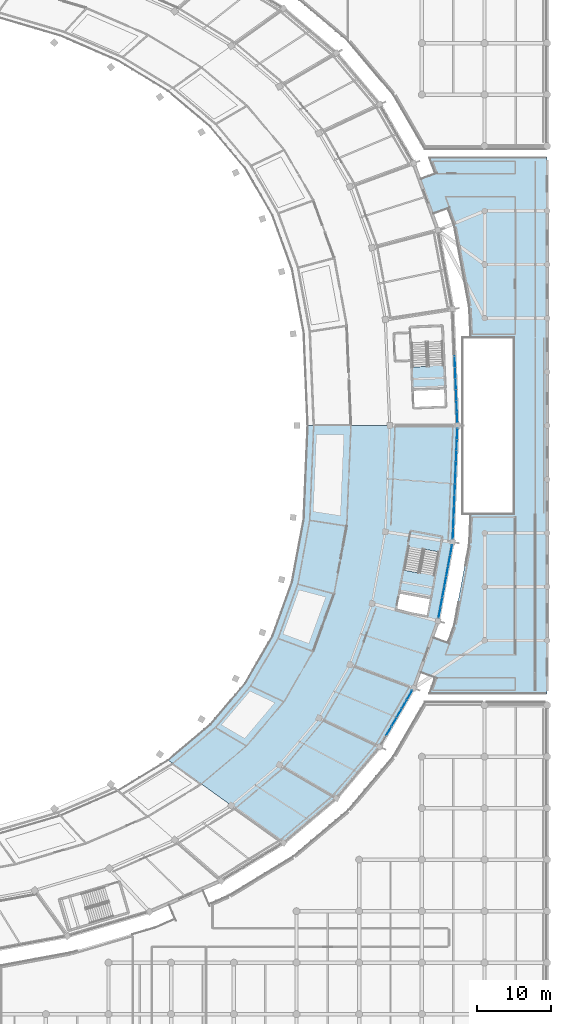
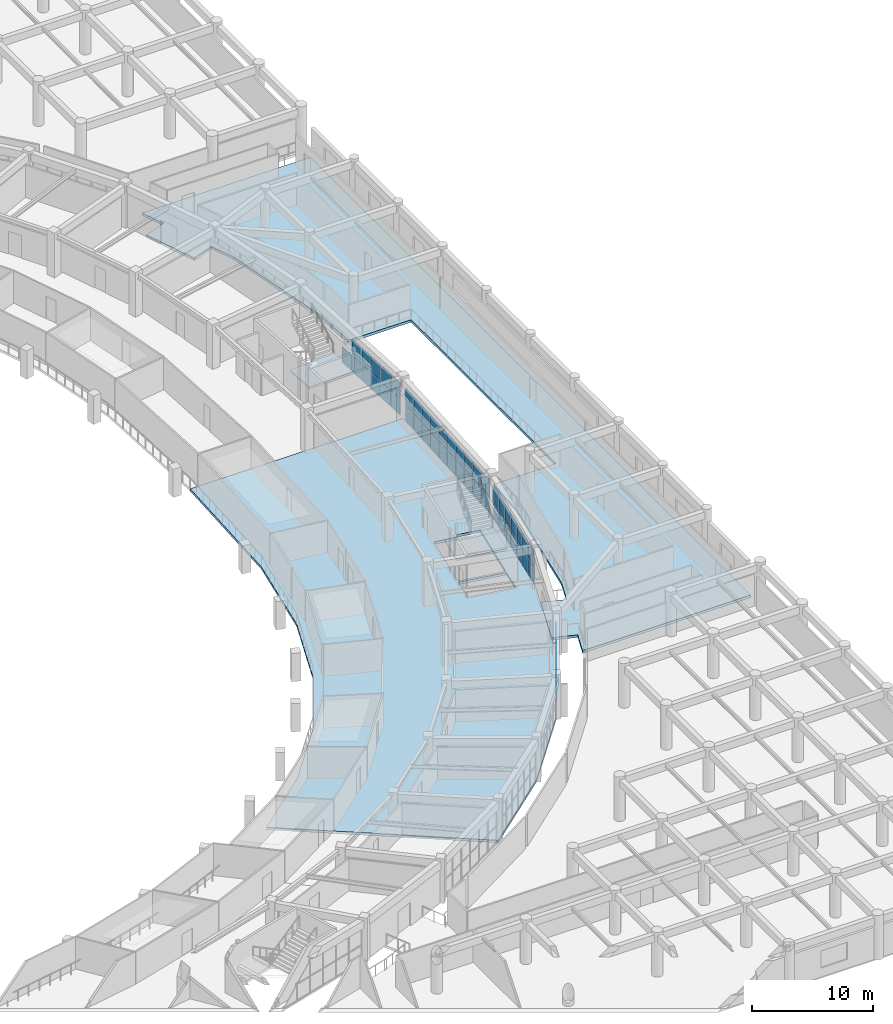
# One storey, part 80 of 141: 54 plates, 4 slabs, 6 elements without a shape of their own.
"""IFC4 building model written with IfcOpenShell, lengths in metres."""

from ifc_helpers import new_model, si_unit, direction, frame, origin, origin_2d, place, context, subcontext, project, spatial, polyline, rectangle, outline, extrude, material, layer, layer_set, type_object, element, aggregate, save


model = new_model("IFC4")

# Units and contexts
model_context = context("Model", 3, precision=1e-05, world=origin(), true_north=direction((0.0, 1.0)))
body_context = subcontext(model_context, "Body", "Model", "MODEL_VIEW")
ifc_project = project(units=[si_unit("LENGTHUNIT", "METRE"), si_unit("AREAUNIT", "SQUARE_METRE"), si_unit("VOLUMEUNIT", "CUBIC_METRE"), si_unit("PLANEANGLEUNIT", "RADIAN"), si_unit("MASSUNIT", "GRAM", prefix="KILO")], contexts=[model_context])

# Site, building, storey
site_placement = place(None, origin())
site = spatial("IfcSite", under=ifc_project, at=site_placement, CompositionType="ELEMENT")
building_placement = place(site_placement, origin())
building = spatial("IfcBuilding", under=site, at=building_placement, Name="Mphavela Belvedere Stadium", CompositionType="ELEMENT")
storey_placement = place(building_placement, frame((0.0, 0.0, 14.699951171875)))
storey = spatial("IfcBuildingStorey", under=building, at=storey_placement, Name="L03", CompositionType="ELEMENT", Elevation=14.699951171875)

# Curtain wall, plates
ifc_material_1 = material(Name="Anodised bronze unitised curtain wall framing")
ifc_layer_1 = layer(ifc_material_1, 0.179931640625)
ifc_layer_set_1 = layer_set([ifc_layer_1], Name="Anodised bronze unitised curtain wall framing")
curtain_wall_type_1 = type_object("IfcCurtainWallType", Name="CW-UNIT-01", PredefinedType="USERDEFINED", material=ifc_layer_set_1)
curtain_wall_1_placement = place(storey_placement, origin())
curtain_wall_1 = element("IfcCurtainWall", 1, at=curtain_wall_1_placement, inside=storey, type_object=curtain_wall_type_1, Name="Belvedere colonnade curtain wall L03-01", ObjectType="UNITISED CURTAIN WALL", PredefinedType="USERDEFINED")
ifc_material_2 = material(Name="Solar-control double glazing", Category="glass")
ifc_layer_2 = layer(ifc_material_2, 0.031982421875)
ifc_layer_set_2 = layer_set([ifc_layer_2], Name="Solar-control double glazing")
plate_type = type_object("IfcPlateType", Name="CWP-SOLAR-GLASS", PredefinedType="CURTAIN_PANEL", material=ifc_layer_set_2)
plate_1_placement = place(storey_placement, frame((217.77197265625, 88.143798828125, 0.06005859375), z_axis=(0.0, 0.0, 1.0), x_axis=(-0.041911272788, 0.999121336582, 0.0)))
plate_1 = element("IfcPlate", 2, at=plate_1_placement, type_object=plate_type, Name="CW-01 panel 1.1", PredefinedType="CURTAIN_PANEL", context=body_context, shape_type="SweptSolid", body=[
    extrude(rectangle(XDim=1.413818359375, YDim=0.031982421875, at=origin_2d()), origin(), (0.0, 0.0, 1.0), 1.6201171875),
])
plate_2_placement = place(storey_placement, frame((217.77197265625, 88.143798828125, 1.739990234375), z_axis=(0.0, 0.0, 1.0), x_axis=(-0.041911272788, 0.999121336582, 0.0)))
plate_2 = element("IfcPlate", 3, at=plate_2_placement, type_object=plate_type, Name="CW-01 panel 1.2", PredefinedType="CURTAIN_PANEL", context=body_context, shape_type="SweptSolid", body=[
    extrude(rectangle(XDim=1.413818359375, YDim=0.031982421875, at=origin_2d()), origin(), (0.0, 0.0, 1.0), 1.6201171875),
])
plate_3_placement = place(storey_placement, frame((217.70947265625, 89.6376953125, 0.06005859375), z_axis=(0.0, 0.0, 1.0), x_axis=(-0.041911272788, 0.999121336582, 0.0)))
plate_3 = element("IfcPlate", 4, at=plate_3_placement, type_object=plate_type, Name="CW-01 panel 2.1", PredefinedType="CURTAIN_PANEL", context=body_context, shape_type="SweptSolid", body=[
    extrude(rectangle(XDim=1.4462890625, YDim=0.031982421875, at=origin_2d()), origin(), (0.0, 0.0, 1.0), 1.6201171875),
])
plate_4_placement = place(storey_placement, frame((217.70947265625, 89.6376953125, 1.739990234375), z_axis=(0.0, 0.0, 1.0), x_axis=(-0.041911272788, 0.999121336582, 0.0)))
plate_4 = element("IfcPlate", 5, at=plate_4_placement, type_object=plate_type, Name="CW-01 panel 2.2", PredefinedType="CURTAIN_PANEL", context=body_context, shape_type="SweptSolid", body=[
    extrude(rectangle(XDim=1.4462890625, YDim=0.031982421875, at=origin_2d()), origin(), (0.0, 0.0, 1.0), 1.6201171875),
])
plate_5_placement = place(storey_placement, frame((217.64599609375, 91.147705078125, 0.06005859375), z_axis=(0.0, 0.0, 1.0), x_axis=(-0.041911272788, 0.999121336582, 0.0)))
plate_5 = element("IfcPlate", 6, at=plate_5_placement, type_object=plate_type, Name="CW-01 panel 3.1", PredefinedType="CURTAIN_PANEL", context=body_context, shape_type="SweptSolid", body=[
    extrude(rectangle(XDim=1.4462890625, YDim=0.031982421875, at=origin_2d()), origin(), (0.0, 0.0, 1.0), 1.6201171875),
])
plate_6_placement = place(storey_placement, frame((217.64599609375, 91.147705078125, 1.739990234375), z_axis=(0.0, 0.0, 1.0), x_axis=(-0.041911272788, 0.999121336582, 0.0)))
plate_6 = element("IfcPlate", 7, at=plate_6_placement, type_object=plate_type, Name="CW-01 panel 3.2", PredefinedType="CURTAIN_PANEL", context=body_context, shape_type="SweptSolid", body=[
    extrude(rectangle(XDim=1.4462890625, YDim=0.031982421875, at=origin_2d()), origin(), (0.0, 0.0, 1.0), 1.6201171875),
])
plate_7_placement = place(storey_placement, frame((217.582763671875, 92.657470703125, 0.06005859375), z_axis=(0.0, 0.0, 1.0), x_axis=(-0.041911272788, 0.999121336582, 0.0)))
plate_7 = element("IfcPlate", 8, at=plate_7_placement, type_object=plate_type, Name="CW-01 panel 4.1", PredefinedType="CURTAIN_PANEL", context=body_context, shape_type="SweptSolid", body=[
    extrude(rectangle(XDim=1.4462890625, YDim=0.031982421875, at=origin_2d()), origin(), (0.0, 0.0, 1.0), 1.6201171875),
])
plate_8_placement = place(storey_placement, frame((217.582763671875, 92.657470703125, 1.739990234375), z_axis=(0.0, 0.0, 1.0), x_axis=(-0.041911272788, 0.999121336582, 0.0)))
plate_8 = element("IfcPlate", 9, at=plate_8_placement, type_object=plate_type, Name="CW-01 panel 4.2", PredefinedType="CURTAIN_PANEL", context=body_context, shape_type="SweptSolid", body=[
    extrude(rectangle(XDim=1.4462890625, YDim=0.031982421875, at=origin_2d()), origin(), (0.0, 0.0, 1.0), 1.6201171875),
])
plate_9_placement = place(storey_placement, frame((217.519287109375, 94.16748046875, 0.06005859375), z_axis=(0.0, 0.0, 1.0), x_axis=(-0.041911272788, 0.999121336582, 0.0)))
plate_9 = element("IfcPlate", 10, at=plate_9_placement, type_object=plate_type, Name="CW-01 panel 5.1", PredefinedType="CURTAIN_PANEL", context=body_context, shape_type="SweptSolid", body=[
    extrude(rectangle(XDim=1.4462890625, YDim=0.031982421875, at=origin_2d()), origin(), (0.0, 0.0, 1.0), 1.6201171875),
])
plate_10_placement = place(storey_placement, frame((217.519287109375, 94.16748046875, 1.739990234375), z_axis=(0.0, 0.0, 1.0), x_axis=(-0.041911272788, 0.999121336582, 0.0)))
plate_10 = element("IfcPlate", 11, at=plate_10_placement, type_object=plate_type, Name="CW-01 panel 5.2", PredefinedType="CURTAIN_PANEL", context=body_context, shape_type="SweptSolid", body=[
    extrude(rectangle(XDim=1.4462890625, YDim=0.031982421875, at=origin_2d()), origin(), (0.0, 0.0, 1.0), 1.6201171875),
])
plate_11_placement = place(storey_placement, frame((217.4560546875, 95.677490234375, 0.06005859375), z_axis=(0.0, 0.0, 1.0), x_axis=(-0.041911272788, 0.999121336582, 0.0)))
plate_11 = element("IfcPlate", 12, at=plate_11_placement, type_object=plate_type, Name="CW-01 panel 6.1", PredefinedType="CURTAIN_PANEL", context=body_context, shape_type="SweptSolid", body=[
    extrude(rectangle(XDim=1.4462890625, YDim=0.031982421875, at=origin_2d()), origin(), (0.0, 0.0, 1.0), 1.6201171875),
])
aggregate(curtain_wall_1, [plate_1, plate_2, plate_3, plate_4, plate_5, plate_6, plate_7, plate_8, plate_9, plate_10, plate_11])

ifc_material_3 = material(Name="Anodised bronze unitised curtain wall framing")
ifc_layer_3 = layer(ifc_material_3, 0.18505859375)
ifc_layer_set_3 = layer_set([ifc_layer_3], Name="Anodised bronze unitised curtain wall framing")
curtain_wall_type_2 = type_object("IfcCurtainWallType", Name="CW-UNIT-02", PredefinedType="USERDEFINED", material=ifc_layer_set_3)
curtain_wall_2_placement = place(storey_placement, origin())
curtain_wall_2 = element("IfcCurtainWall", 13, at=curtain_wall_2_placement, inside=storey, type_object=curtain_wall_type_2, Name="Belvedere colonnade curtain wall L03-45", ObjectType="UNITISED CURTAIN WALL", PredefinedType="USERDEFINED")
plate_12_placement = place(storey_placement, frame((208.4892578125, 45.49462890625, 1.739990234375), z_axis=(0.0, 0.0, 1.0), x_axis=(0.50055409961, 0.865705257789, 0.0)))
plate_12 = element("IfcPlate", 14, at=plate_12_placement, type_object=plate_type, Name="CW-02 panel 2.2", PredefinedType="CURTAIN_PANEL", context=body_context, shape_type="SweptSolid", body=[
    extrude(rectangle(XDim=1.346923828125, YDim=0.031982421875, at=origin_2d()), origin(), (0.0, 0.0, 1.0), 1.6201171875),
])
plate_13_placement = place(storey_placement, frame((209.196044921875, 46.717041015625, 0.06005859375), z_axis=(0.0, 0.0, 1.0), x_axis=(0.50055409961, 0.865705257789, 0.0)))
plate_13 = element("IfcPlate", 15, at=plate_13_placement, type_object=plate_type, Name="CW-02 panel 3.1", PredefinedType="CURTAIN_PANEL", context=body_context, shape_type="SweptSolid", body=[
    extrude(rectangle(XDim=1.346923828125, YDim=0.031982421875, at=origin_2d()), origin(), (0.0, 0.0, 1.0), 1.6201171875),
])
plate_14_placement = place(storey_placement, frame((209.196044921875, 46.717041015625, 1.739990234375), z_axis=(0.0, 0.0, 1.0), x_axis=(0.50055409961, 0.865705257789, 0.0)))
plate_14 = element("IfcPlate", 16, at=plate_14_placement, type_object=plate_type, Name="CW-02 panel 3.2", PredefinedType="CURTAIN_PANEL", context=body_context, shape_type="SweptSolid", body=[
    extrude(rectangle(XDim=1.346923828125, YDim=0.031982421875, at=origin_2d()), origin(), (0.0, 0.0, 1.0), 1.6201171875),
])
plate_15_placement = place(storey_placement, frame((209.902587890625, 47.939208984375, 0.06005859375), z_axis=(0.0, 0.0, 1.0), x_axis=(0.50055409961, 0.865705257789, 0.0)))
plate_15 = element("IfcPlate", 17, at=plate_15_placement, type_object=plate_type, Name="CW-02 panel 4.1", PredefinedType="CURTAIN_PANEL", context=body_context, shape_type="SweptSolid", body=[
    extrude(rectangle(XDim=1.346923828125, YDim=0.031982421875, at=origin_2d()), origin(), (0.0, 0.0, 1.0), 1.6201171875),
])
plate_16_placement = place(storey_placement, frame((209.902587890625, 47.939208984375, 1.739990234375), z_axis=(0.0, 0.0, 1.0), x_axis=(0.50055409961, 0.865705257789, 0.0)))
plate_16 = element("IfcPlate", 18, at=plate_16_placement, type_object=plate_type, Name="CW-02 panel 4.2", PredefinedType="CURTAIN_PANEL", context=body_context, shape_type="SweptSolid", body=[
    extrude(rectangle(XDim=1.346923828125, YDim=0.031982421875, at=origin_2d()), origin(), (0.0, 0.0, 1.0), 1.6201171875),
])
plate_17_placement = place(storey_placement, frame((210.609375, 49.161376953125, 0.06005859375), z_axis=(0.0, 0.0, 1.0), x_axis=(0.50055409961, 0.865705257789, 0.0)))
plate_17 = element("IfcPlate", 19, at=plate_17_placement, type_object=plate_type, Name="CW-02 panel 5.1", PredefinedType="CURTAIN_PANEL", context=body_context, shape_type="SweptSolid", body=[
    extrude(rectangle(XDim=1.346923828125, YDim=0.031982421875, at=origin_2d()), origin(), (0.0, 0.0, 1.0), 1.6201171875),
])
plate_18_placement = place(storey_placement, frame((210.609375, 49.161376953125, 1.739990234375), z_axis=(0.0, 0.0, 1.0), x_axis=(0.50055409961, 0.865705257789, 0.0)))
plate_18 = element("IfcPlate", 20, at=plate_18_placement, type_object=plate_type, Name="CW-02 panel 5.2", PredefinedType="CURTAIN_PANEL", context=body_context, shape_type="SweptSolid", body=[
    extrude(rectangle(XDim=1.346923828125, YDim=0.031982421875, at=origin_2d()), origin(), (0.0, 0.0, 1.0), 1.6201171875),
])
plate_19_placement = place(storey_placement, frame((211.307861328125, 50.36962890625, 0.06005859375), z_axis=(0.0, 0.0, 1.0), x_axis=(0.50055409961, 0.865705257789, 0.0)))
plate_19 = element("IfcPlate", 21, at=plate_19_placement, type_object=plate_type, Name="CW-02 panel 6.1", PredefinedType="CURTAIN_PANEL", context=body_context, shape_type="SweptSolid", body=[
    extrude(rectangle(XDim=1.314453125, YDim=0.031982421875, at=origin_2d()), origin(), (0.0, 0.0, 1.0), 1.6201171875),
])
plate_20_placement = place(storey_placement, frame((211.307861328125, 50.36962890625, 1.739990234375), z_axis=(0.0, 0.0, 1.0), x_axis=(0.50055409961, 0.865705257789, 0.0)))
plate_20 = element("IfcPlate", 22, at=plate_20_placement, type_object=plate_type, Name="CW-02 panel 6.2", PredefinedType="CURTAIN_PANEL", context=body_context, shape_type="SweptSolid", body=[
    extrude(rectangle(XDim=1.314453125, YDim=0.031982421875, at=origin_2d()), origin(), (0.0, 0.0, 1.0), 1.6201171875),
])
aggregate(curtain_wall_2, [plate_12, plate_13, plate_14, plate_15, plate_16, plate_17, plate_18, plate_19, plate_20])

ifc_material_4 = material(Name="Anodised bronze unitised curtain wall framing")
ifc_layer_4 = layer(ifc_material_4, 0.18994140625)
ifc_layer_set_4 = layer_set([ifc_layer_4], Name="Anodised bronze unitised curtain wall framing")
curtain_wall_type_3 = type_object("IfcCurtainWallType", Name="CW-UNIT-03", PredefinedType="USERDEFINED", material=ifc_layer_set_4)
curtain_wall_3_placement = place(storey_placement, origin())
curtain_wall_3 = element("IfcCurtainWall", 23, at=curtain_wall_3_placement, inside=storey, type_object=curtain_wall_type_3, Name="Belvedere colonnade curtain wall L03-47", ObjectType="UNITISED CURTAIN WALL", PredefinedType="USERDEFINED")
plate_21_placement = place(storey_placement, frame((215.3681640625, 61.533447265625, 0.06005859375), z_axis=(0.0, 0.0, 1.0), x_axis=(0.182631222254, 0.983181487142, 0.0)))
plate_21 = element("IfcPlate", 24, at=plate_21_placement, type_object=plate_type, Name="CW-03 panel 1.1", PredefinedType="CURTAIN_PANEL", context=body_context, shape_type="SweptSolid", body=[
    extrude(rectangle(XDim=1.353271484375, YDim=0.031982421875, at=origin_2d()), origin(), (0.0, 0.0, 1.0), 1.6201171875),
])
plate_22_placement = place(storey_placement, frame((215.3681640625, 61.533447265625, 1.739990234375), z_axis=(0.0, 0.0, 1.0), x_axis=(0.182631222254, 0.983181487142, 0.0)))
plate_22 = element("IfcPlate", 25, at=plate_22_placement, type_object=plate_type, Name="CW-03 panel 1.2", PredefinedType="CURTAIN_PANEL", context=body_context, shape_type="SweptSolid", body=[
    extrude(rectangle(XDim=1.353271484375, YDim=0.031982421875, at=origin_2d()), origin(), (0.0, 0.0, 1.0), 1.6201171875),
])
plate_23_placement = place(storey_placement, frame((215.630126953125, 62.943603515625, 0.06005859375), z_axis=(0.0, 0.0, 1.0), x_axis=(0.182631222254, 0.983181487142, 0.0)))
plate_23 = element("IfcPlate", 26, at=plate_23_placement, type_object=plate_type, Name="CW-03 panel 2.1", PredefinedType="CURTAIN_PANEL", context=body_context, shape_type="SweptSolid", body=[
    extrude(rectangle(XDim=1.3857421875, YDim=0.031982421875, at=origin_2d()), origin(), (0.0, 0.0, 1.0), 1.6201171875),
])
plate_24_placement = place(storey_placement, frame((215.630126953125, 62.943603515625, 1.739990234375), z_axis=(0.0, 0.0, 1.0), x_axis=(0.182631222254, 0.983181487142, 0.0)))
plate_24 = element("IfcPlate", 27, at=plate_24_placement, type_object=plate_type, Name="CW-03 panel 2.2", PredefinedType="CURTAIN_PANEL", context=body_context, shape_type="SweptSolid", body=[
    extrude(rectangle(XDim=1.3857421875, YDim=0.031982421875, at=origin_2d()), origin(), (0.0, 0.0, 1.0), 1.6201171875),
])
plate_25_placement = place(storey_placement, frame((215.89501953125, 64.369873046875, 0.06005859375), z_axis=(0.0, 0.0, 1.0), x_axis=(0.182631222254, 0.983181487142, 0.0)))
plate_25 = element("IfcPlate", 28, at=plate_25_placement, type_object=plate_type, Name="CW-03 panel 3.1", PredefinedType="CURTAIN_PANEL", context=body_context, shape_type="SweptSolid", body=[
    extrude(rectangle(XDim=1.3857421875, YDim=0.031982421875, at=origin_2d()), origin(), (0.0, 0.0, 1.0), 1.6201171875),
])
plate_26_placement = place(storey_placement, frame((215.89501953125, 64.369873046875, 1.739990234375), z_axis=(0.0, 0.0, 1.0), x_axis=(0.182631222254, 0.983181487142, 0.0)))
plate_26 = element("IfcPlate", 29, at=plate_26_placement, type_object=plate_type, Name="CW-03 panel 3.2", PredefinedType="CURTAIN_PANEL", context=body_context, shape_type="SweptSolid", body=[
    extrude(rectangle(XDim=1.3857421875, YDim=0.031982421875, at=origin_2d()), origin(), (0.0, 0.0, 1.0), 1.6201171875),
])
plate_27_placement = place(storey_placement, frame((216.159912109375, 65.796142578125, 0.06005859375), z_axis=(0.0, 0.0, 1.0), x_axis=(0.182631222254, 0.983181487142, 0.0)))
plate_27 = element("IfcPlate", 30, at=plate_27_placement, type_object=plate_type, Name="CW-03 panel 4.1", PredefinedType="CURTAIN_PANEL", context=body_context, shape_type="SweptSolid", body=[
    extrude(rectangle(XDim=1.3857421875, YDim=0.031982421875, at=origin_2d()), origin(), (0.0, 0.0, 1.0), 1.6201171875),
])
plate_28_placement = place(storey_placement, frame((216.159912109375, 65.796142578125, 1.739990234375), z_axis=(0.0, 0.0, 1.0), x_axis=(0.182631222254, 0.983181487142, 0.0)))
plate_28 = element("IfcPlate", 31, at=plate_28_placement, type_object=plate_type, Name="CW-03 panel 4.2", PredefinedType="CURTAIN_PANEL", context=body_context, shape_type="SweptSolid", body=[
    extrude(rectangle(XDim=1.3857421875, YDim=0.031982421875, at=origin_2d()), origin(), (0.0, 0.0, 1.0), 1.6201171875),
])
plate_29_placement = place(storey_placement, frame((216.425048828125, 67.22265625, 0.06005859375), z_axis=(0.0, 0.0, 1.0), x_axis=(0.182631222254, 0.983181487142, 0.0)))
plate_29 = element("IfcPlate", 32, at=plate_29_placement, type_object=plate_type, Name="CW-03 panel 5.1", PredefinedType="CURTAIN_PANEL", context=body_context, shape_type="SweptSolid", body=[
    extrude(rectangle(XDim=1.3857421875, YDim=0.031982421875, at=origin_2d()), origin(), (0.0, 0.0, 1.0), 1.6201171875),
])
plate_30_placement = place(storey_placement, frame((216.425048828125, 67.22265625, 1.739990234375), z_axis=(0.0, 0.0, 1.0), x_axis=(0.182631222254, 0.983181487142, 0.0)))
plate_30 = element("IfcPlate", 33, at=plate_30_placement, type_object=plate_type, Name="CW-03 panel 5.2", PredefinedType="CURTAIN_PANEL", context=body_context, shape_type="SweptSolid", body=[
    extrude(rectangle(XDim=1.3857421875, YDim=0.031982421875, at=origin_2d()), origin(), (0.0, 0.0, 1.0), 1.6201171875),
])
plate_31_placement = place(storey_placement, frame((216.68994140625, 68.64892578125, 0.06005859375), z_axis=(0.0, 0.0, 1.0), x_axis=(0.182631222254, 0.983181487142, 0.0)))
plate_31 = element("IfcPlate", 34, at=plate_31_placement, type_object=plate_type, Name="CW-03 panel 6.1", PredefinedType="CURTAIN_PANEL", context=body_context, shape_type="SweptSolid", body=[
    extrude(rectangle(XDim=1.3857421875, YDim=0.031982421875, at=origin_2d()), origin(), (0.0, 0.0, 1.0), 1.6201171875),
])
plate_32_placement = place(storey_placement, frame((216.68994140625, 68.64892578125, 1.739990234375), z_axis=(0.0, 0.0, 1.0), x_axis=(0.182631222254, 0.983181487142, 0.0)))
plate_32 = element("IfcPlate", 35, at=plate_32_placement, type_object=plate_type, Name="CW-03 panel 6.2", PredefinedType="CURTAIN_PANEL", context=body_context, shape_type="SweptSolid", body=[
    extrude(rectangle(XDim=1.3857421875, YDim=0.031982421875, at=origin_2d()), origin(), (0.0, 0.0, 1.0), 1.6201171875),
])
plate_33_placement = place(storey_placement, frame((216.951904296875, 70.05908203125, 0.06005859375), z_axis=(0.0, 0.0, 1.0), x_axis=(0.182631222254, 0.983181487142, 0.0)))
plate_33 = element("IfcPlate", 36, at=plate_33_placement, type_object=plate_type, Name="CW-03 panel 7.1", PredefinedType="CURTAIN_PANEL", context=body_context, shape_type="SweptSolid", body=[
    extrude(rectangle(XDim=1.353271484375, YDim=0.031982421875, at=origin_2d()), origin(), (0.0, 0.0, 1.0), 1.6201171875),
])
plate_34_placement = place(storey_placement, frame((216.951904296875, 70.05908203125, 1.739990234375), z_axis=(0.0, 0.0, 1.0), x_axis=(0.182631222254, 0.983181487142, 0.0)))
plate_34 = element("IfcPlate", 37, at=plate_34_placement, type_object=plate_type, Name="CW-03 panel 7.2", PredefinedType="CURTAIN_PANEL", context=body_context, shape_type="SweptSolid", body=[
    extrude(rectangle(XDim=1.353271484375, YDim=0.031982421875, at=origin_2d()), origin(), (0.0, 0.0, 1.0), 1.6201171875),
])
aggregate(curtain_wall_3, [plate_21, plate_22, plate_23, plate_24, plate_25, plate_26, plate_27, plate_28, plate_29, plate_30, plate_31, plate_32, plate_33, plate_34])

ifc_material_5 = material(Name="Anodised bronze unitised curtain wall framing")
ifc_layer_5 = layer(ifc_material_5, 0.195068359375)
ifc_layer_set_5 = layer_set([ifc_layer_5], Name="Anodised bronze unitised curtain wall framing")
curtain_wall_type_4 = type_object("IfcCurtainWallType", Name="CW-UNIT-04", PredefinedType="USERDEFINED", material=ifc_layer_set_5)
curtain_wall_4_placement = place(storey_placement, origin())
curtain_wall_4 = element("IfcCurtainWall", 38, at=curtain_wall_4_placement, inside=storey, type_object=curtain_wall_type_4, Name="Belvedere colonnade curtain wall L03-48", ObjectType="UNITISED CURTAIN WALL", PredefinedType="USERDEFINED")
plate_35_placement = place(storey_placement, frame((217.203369140625, 72.298828125, 0.06005859375), z_axis=(0.0, 0.0, 1.0), x_axis=(0.041911272788, 0.999121336582, 0.0)))
plate_35 = element("IfcPlate", 39, at=plate_35_placement, type_object=plate_type, Name="CW-04 panel 1.1", PredefinedType="CURTAIN_PANEL", context=body_context, shape_type="SweptSolid", body=[
    extrude(rectangle(XDim=1.413818359375, YDim=0.031982421875, at=origin_2d()), origin(), (0.0, 0.0, 1.0), 1.6201171875),
])
plate_36_placement = place(storey_placement, frame((217.203369140625, 72.298828125, 1.739990234375), z_axis=(0.0, 0.0, 1.0), x_axis=(0.041911272788, 0.999121336582, 0.0)))
plate_36 = element("IfcPlate", 40, at=plate_36_placement, type_object=plate_type, Name="CW-04 panel 1.2", PredefinedType="CURTAIN_PANEL", context=body_context, shape_type="SweptSolid", body=[
    extrude(rectangle(XDim=1.413818359375, YDim=0.031982421875, at=origin_2d()), origin(), (0.0, 0.0, 1.0), 1.6201171875),
])
plate_37_placement = place(storey_placement, frame((217.26611328125, 73.792724609375, 0.06005859375), z_axis=(0.0, 0.0, 1.0), x_axis=(0.041911272788, 0.999121336582, 0.0)))
plate_37 = element("IfcPlate", 41, at=plate_37_placement, type_object=plate_type, Name="CW-04 panel 2.1", PredefinedType="CURTAIN_PANEL", context=body_context, shape_type="SweptSolid", body=[
    extrude(rectangle(XDim=1.4462890625, YDim=0.031982421875, at=origin_2d()), origin(), (0.0, 0.0, 1.0), 1.6201171875),
])
plate_38_placement = place(storey_placement, frame((217.26611328125, 73.792724609375, 1.739990234375), z_axis=(0.0, 0.0, 1.0), x_axis=(0.041911272788, 0.999121336582, 0.0)))
plate_38 = element("IfcPlate", 42, at=plate_38_placement, type_object=plate_type, Name="CW-04 panel 2.2", PredefinedType="CURTAIN_PANEL", context=body_context, shape_type="SweptSolid", body=[
    extrude(rectangle(XDim=1.4462890625, YDim=0.031982421875, at=origin_2d()), origin(), (0.0, 0.0, 1.0), 1.6201171875),
])
plate_39_placement = place(storey_placement, frame((217.329345703125, 75.302490234375, 0.06005859375), z_axis=(0.0, 0.0, 1.0), x_axis=(0.041911272788, 0.999121336582, 0.0)))
plate_39 = element("IfcPlate", 43, at=plate_39_placement, type_object=plate_type, Name="CW-04 panel 3.1", PredefinedType="CURTAIN_PANEL", context=body_context, shape_type="SweptSolid", body=[
    extrude(rectangle(XDim=1.4462890625, YDim=0.031982421875, at=origin_2d()), origin(), (0.0, 0.0, 1.0), 1.6201171875),
])
plate_40_placement = place(storey_placement, frame((217.329345703125, 75.302490234375, 1.739990234375), z_axis=(0.0, 0.0, 1.0), x_axis=(0.041911272788, 0.999121336582, 0.0)))
plate_40 = element("IfcPlate", 44, at=plate_40_placement, type_object=plate_type, Name="CW-04 panel 3.2", PredefinedType="CURTAIN_PANEL", context=body_context, shape_type="SweptSolid", body=[
    extrude(rectangle(XDim=1.4462890625, YDim=0.031982421875, at=origin_2d()), origin(), (0.0, 0.0, 1.0), 1.6201171875),
])
plate_41_placement = place(storey_placement, frame((217.392578125, 76.8125, 0.06005859375), z_axis=(0.0, 0.0, 1.0), x_axis=(0.041911272788, 0.999121336582, 0.0)))
plate_41 = element("IfcPlate", 45, at=plate_41_placement, type_object=plate_type, Name="CW-04 panel 4.1", PredefinedType="CURTAIN_PANEL", context=body_context, shape_type="SweptSolid", body=[
    extrude(rectangle(XDim=1.4462890625, YDim=0.031982421875, at=origin_2d()), origin(), (0.0, 0.0, 1.0), 1.6201171875),
])
plate_42_placement = place(storey_placement, frame((217.392578125, 76.8125, 1.739990234375), z_axis=(0.0, 0.0, 1.0), x_axis=(0.041911272788, 0.999121336582, 0.0)))
plate_42 = element("IfcPlate", 46, at=plate_42_placement, type_object=plate_type, Name="CW-04 panel 4.2", PredefinedType="CURTAIN_PANEL", context=body_context, shape_type="SweptSolid", body=[
    extrude(rectangle(XDim=1.4462890625, YDim=0.031982421875, at=origin_2d()), origin(), (0.0, 0.0, 1.0), 1.6201171875),
])
plate_43_placement = place(storey_placement, frame((217.4560546875, 78.322509765625, 0.06005859375), z_axis=(0.0, 0.0, 1.0), x_axis=(0.041911272788, 0.999121336582, 0.0)))
plate_43 = element("IfcPlate", 47, at=plate_43_placement, type_object=plate_type, Name="CW-04 panel 5.1", PredefinedType="CURTAIN_PANEL", context=body_context, shape_type="SweptSolid", body=[
    extrude(rectangle(XDim=1.4462890625, YDim=0.031982421875, at=origin_2d()), origin(), (0.0, 0.0, 1.0), 1.6201171875),
])
plate_44_placement = place(storey_placement, frame((217.4560546875, 78.322509765625, 1.739990234375), z_axis=(0.0, 0.0, 1.0), x_axis=(0.041911272788, 0.999121336582, 0.0)))
plate_44 = element("IfcPlate", 48, at=plate_44_placement, type_object=plate_type, Name="CW-04 panel 5.2", PredefinedType="CURTAIN_PANEL", context=body_context, shape_type="SweptSolid", body=[
    extrude(rectangle(XDim=1.4462890625, YDim=0.031982421875, at=origin_2d()), origin(), (0.0, 0.0, 1.0), 1.6201171875),
])
plate_45_placement = place(storey_placement, frame((217.519287109375, 79.83251953125, 0.06005859375), z_axis=(0.0, 0.0, 1.0), x_axis=(0.041911272788, 0.999121336582, 0.0)))
plate_45 = element("IfcPlate", 49, at=plate_45_placement, type_object=plate_type, Name="CW-04 panel 6.1", PredefinedType="CURTAIN_PANEL", context=body_context, shape_type="SweptSolid", body=[
    extrude(rectangle(XDim=1.4462890625, YDim=0.031982421875, at=origin_2d()), origin(), (0.0, 0.0, 1.0), 1.6201171875),
])
plate_46_placement = place(storey_placement, frame((217.519287109375, 79.83251953125, 1.739990234375), z_axis=(0.0, 0.0, 1.0), x_axis=(0.041911272788, 0.999121336582, 0.0)))
plate_46 = element("IfcPlate", 50, at=plate_46_placement, type_object=plate_type, Name="CW-04 panel 6.2", PredefinedType="CURTAIN_PANEL", context=body_context, shape_type="SweptSolid", body=[
    extrude(rectangle(XDim=1.4462890625, YDim=0.031982421875, at=origin_2d()), origin(), (0.0, 0.0, 1.0), 1.6201171875),
])
plate_47_placement = place(storey_placement, frame((217.582763671875, 81.342529296875, 0.06005859375), z_axis=(0.0, 0.0, 1.0), x_axis=(0.041911272788, 0.999121336582, 0.0)))
plate_47 = element("IfcPlate", 51, at=plate_47_placement, type_object=plate_type, Name="CW-04 panel 7.1", PredefinedType="CURTAIN_PANEL", context=body_context, shape_type="SweptSolid", body=[
    extrude(rectangle(XDim=1.4462890625, YDim=0.031982421875, at=origin_2d()), origin(), (0.0, 0.0, 1.0), 1.6201171875),
])
plate_48_placement = place(storey_placement, frame((217.582763671875, 81.342529296875, 1.739990234375), z_axis=(0.0, 0.0, 1.0), x_axis=(0.041911272788, 0.999121336582, 0.0)))
plate_48 = element("IfcPlate", 52, at=plate_48_placement, type_object=plate_type, Name="CW-04 panel 7.2", PredefinedType="CURTAIN_PANEL", context=body_context, shape_type="SweptSolid", body=[
    extrude(rectangle(XDim=1.4462890625, YDim=0.031982421875, at=origin_2d()), origin(), (0.0, 0.0, 1.0), 1.6201171875),
])
plate_49_placement = place(storey_placement, frame((217.64599609375, 82.852294921875, 0.06005859375), z_axis=(0.0, 0.0, 1.0), x_axis=(0.041911272788, 0.999121336582, 0.0)))
plate_49 = element("IfcPlate", 53, at=plate_49_placement, type_object=plate_type, Name="CW-04 panel 8.1", PredefinedType="CURTAIN_PANEL", context=body_context, shape_type="SweptSolid", body=[
    extrude(rectangle(XDim=1.4462890625, YDim=0.031982421875, at=origin_2d()), origin(), (0.0, 0.0, 1.0), 1.6201171875),
])
plate_50_placement = place(storey_placement, frame((217.64599609375, 82.852294921875, 1.739990234375), z_axis=(0.0, 0.0, 1.0), x_axis=(0.041911272788, 0.999121336582, 0.0)))
plate_50 = element("IfcPlate", 54, at=plate_50_placement, type_object=plate_type, Name="CW-04 panel 8.2", PredefinedType="CURTAIN_PANEL", context=body_context, shape_type="SweptSolid", body=[
    extrude(rectangle(XDim=1.4462890625, YDim=0.031982421875, at=origin_2d()), origin(), (0.0, 0.0, 1.0), 1.6201171875),
])
plate_51_placement = place(storey_placement, frame((217.70947265625, 84.3623046875, 0.06005859375), z_axis=(0.0, 0.0, 1.0), x_axis=(0.041911272788, 0.999121336582, 0.0)))
plate_51 = element("IfcPlate", 55, at=plate_51_placement, type_object=plate_type, Name="CW-04 panel 9.1", PredefinedType="CURTAIN_PANEL", context=body_context, shape_type="SweptSolid", body=[
    extrude(rectangle(XDim=1.4462890625, YDim=0.031982421875, at=origin_2d()), origin(), (0.0, 0.0, 1.0), 1.6201171875),
])
plate_52_placement = place(storey_placement, frame((217.70947265625, 84.3623046875, 1.739990234375), z_axis=(0.0, 0.0, 1.0), x_axis=(0.041911272788, 0.999121336582, 0.0)))
plate_52 = element("IfcPlate", 56, at=plate_52_placement, type_object=plate_type, Name="CW-04 panel 9.2", PredefinedType="CURTAIN_PANEL", context=body_context, shape_type="SweptSolid", body=[
    extrude(rectangle(XDim=1.4462890625, YDim=0.031982421875, at=origin_2d()), origin(), (0.0, 0.0, 1.0), 1.6201171875),
])
plate_53_placement = place(storey_placement, frame((217.77197265625, 85.856201171875, 0.06005859375), z_axis=(0.0, 0.0, 1.0), x_axis=(0.041911272788, 0.999121336582, 0.0)))
plate_53 = element("IfcPlate", 57, at=plate_53_placement, type_object=plate_type, Name="CW-04 panel 10.1", PredefinedType="CURTAIN_PANEL", context=body_context, shape_type="SweptSolid", body=[
    extrude(rectangle(XDim=1.413818359375, YDim=0.031982421875, at=origin_2d()), origin(), (0.0, 0.0, 1.0), 1.6201171875),
])
plate_54_placement = place(storey_placement, frame((217.77197265625, 85.856201171875, 1.739990234375), z_axis=(0.0, 0.0, 1.0), x_axis=(0.041911272788, 0.999121336582, 0.0)))
plate_54 = element("IfcPlate", 58, at=plate_54_placement, type_object=plate_type, Name="CW-04 panel 10.2", PredefinedType="CURTAIN_PANEL", context=body_context, shape_type="SweptSolid", body=[
    extrude(rectangle(XDim=1.413818359375, YDim=0.031982421875, at=origin_2d()), origin(), (0.0, 0.0, 1.0), 1.6201171875),
])
aggregate(curtain_wall_4, [plate_35, plate_36, plate_37, plate_38, plate_39, plate_40, plate_41, plate_42, plate_43, plate_44, plate_45, plate_46, plate_47, plate_48, plate_49, plate_50, plate_51, plate_52, plate_53, plate_54])

# Slab
ifc_material_6 = material(Name="Concrete C40/50", Category="concrete")
ifc_layer_6 = layer(ifc_material_6, 0.25)
ifc_layer_set_6 = layer_set([ifc_layer_6], Name="Concrete C40/50")
slab_type_1 = type_object("IfcSlabType", Name="SLB-CONCOURSE-250", PredefinedType="FLOOR", material=ifc_layer_set_6)
slab_1_placement = place(storey_placement, frame((0.0, 0.0, -0.25)))
element("IfcSlab", 59, at=slab_1_placement, inside=storey, type_object=slab_type_1, Name="Concourse sector slab L03-S8", PredefinedType="FLOOR", context=body_context, shape_type="SweptSolid", body=[
    extrude(outline(polyline([(217.820068359375, 87.0), (217.155517578125, 71.155029296875), (215.16455078125, 60.4375), (211.856201171875, 51.317626953125), (207.242431640625, 43.33837890625), (201.33837890625, 36.346435546875), (194.155517578125, 30.285400390625), (178.473876953125, 41.521484375), (184.2333984375, 46.381591796875), (188.968017578125, 51.988525390625), (192.66748046875, 58.38671875), (195.32080078125, 65.699951171875), (196.9169921875, 74.294189453125), (197.449951171875, 87.0), (217.820068359375, 87.0)]), holes=[polyline([(214.12451171875, 63.646728515625), (215.27392578125, 69.8369140625), (213.214111328125, 70.219482421875), (213.15283203125, 69.88916015625), (211.093017578125, 70.271484375), (210.0048828125, 64.41162109375), (214.12451171875, 63.646728515625)]), polyline([(213.671875, 61.20849609375), (214.08447265625, 63.430419921875), (209.96484375, 64.1953125), (209.55224609375, 61.973388671875), (213.671875, 61.20849609375)])]), origin(), (0.0, 0.0, 1.0), 0.25),
])

# Stair, slab
ifc_material_7 = material(Name="Concrete C40/50", Category="concrete")
stair_type_1 = type_object("IfcStairType", Name="STR-HALF-TURN-1", PredefinedType="HALF_TURN_STAIR", material=ifc_material_7)
stair_1_placement = place(storey_placement, origin())
stair_1 = element("IfcStair", 60, at=stair_1_placement, inside=storey, type_object=stair_type_1, Name="L03 Escape stair core C01", PredefinedType="HALF_TURN_STAIR")
ifc_material_8 = material(Name="Concrete C40/50", Category="concrete")
ifc_layer_7 = layer(ifc_material_8, 0.199951171875)
ifc_layer_set_7 = layer_set([ifc_layer_7], Name="Concrete C40/50")
slab_type_2 = type_object("IfcSlabType", Name="SLB-LANDING-200", PredefinedType="LANDING", material=ifc_layer_set_7)
slab_2_placement = place(storey_placement, frame((0.0, 0.0, 2.050048828125)))
slab_2 = element("IfcSlab", 61, at=slab_2_placement, type_object=slab_type_2, Name="ST-C01 landing 1", PredefinedType="LANDING", context=body_context, shape_type="SweptSolid", body=[
    extrude(outline(polyline([(211.583740234375, 94.9580078125), (211.70849609375, 91.9775390625), (216.134765625, 92.1630859375), (215.994873046875, 95.498046875), (213.781982421875, 95.4052734375), (213.796875, 95.050537109375), (211.583740234375, 94.9580078125)])), origin(), (0.0, 0.0, 1.0), 0.199951171875),
])
aggregate(stair_1, [slab_2])

ifc_material_9 = material(Name="Concrete C40/50", Category="concrete")
stair_type_2 = type_object("IfcStairType", Name="STR-HALF-TURN-3", PredefinedType="HALF_TURN_STAIR", material=ifc_material_9)
stair_2_placement = place(storey_placement, origin())
stair_2 = element("IfcStair", 62, at=stair_2_placement, inside=storey, type_object=stair_type_2, Name="L03 Escape stair core C12", PredefinedType="HALF_TURN_STAIR")
slab_3_placement = place(storey_placement, frame((0.0, 0.0, 2.050048828125)))
slab_3 = element("IfcSlab", 63, at=slab_3_placement, type_object=slab_type_2, Name="ST-C12 landing 1", PredefinedType="LANDING", context=body_context, shape_type="SweptSolid", body=[
    extrude(outline(polyline([(210.431640625, 67.366455078125), (209.886962890625, 64.43359375), (214.242431640625, 63.624755859375), (214.851806640625, 66.90673828125), (212.67431640625, 67.31103515625), (212.609375, 66.962158203125), (210.431640625, 67.366455078125)])), origin(), (0.0, 0.0, 1.0), 0.199951171875),
])
aggregate(stair_2, [slab_3])

# Slab
ifc_material_10 = material(Name="Concrete C40/50", Category="concrete")
ifc_layer_8 = layer(ifc_material_10, 0.260009765625)
ifc_layer_set_8 = layer_set([ifc_layer_8], Name="Concrete C40/50")
slab_type_3 = type_object("IfcSlabType", Name="SLB-PAVILION-260", PredefinedType="FLOOR", material=ifc_layer_set_8)
slab_4_placement = place(storey_placement, frame((0.0, 0.0, -0.260009765625)))
element("IfcSlab", 64, at=slab_4_placement, inside=storey, type_object=slab_type_3, Name="East Planted Eaves Peristyle Colonnade floor slab L03-1", PredefinedType="FLOOR", context=body_context, shape_type="SweptSolid", body=[
    extrude(outline(polyline([(214.69189453125, 52.68310546875), (212.623779296875, 53.43359375), (214.39697265625, 58.32177734375), (216.465087890625, 57.571533203125), (217.232666015625, 59.687255859375), (217.287353515625, 59.859619140625), (217.32763671875, 60.03564453125), (219.318359375, 70.753173828125), (219.353515625, 71.062744140625), (219.5185546875, 75.0), (225.5, 75.0), (225.5, 99.0), (219.5185546875, 99.0), (219.353515625, 102.937255859375), (219.318359375, 103.246826171875), (217.32763671875, 113.96435546875), (217.287353515625, 114.140380859375), (217.232666015625, 114.312744140625), (216.465087890625, 116.428466796875), (214.39697265625, 115.67822265625), (212.623779296875, 120.56640625), (214.69189453125, 121.31689453125), (213.896240234375, 123.5), (230.0, 123.5), (230.0, 50.5), (213.896240234375, 50.5), (214.69189453125, 52.68310546875)])), origin(), (0.0, 0.0, 1.0), 0.260009765625),
])

save(model, "model.ifc")
